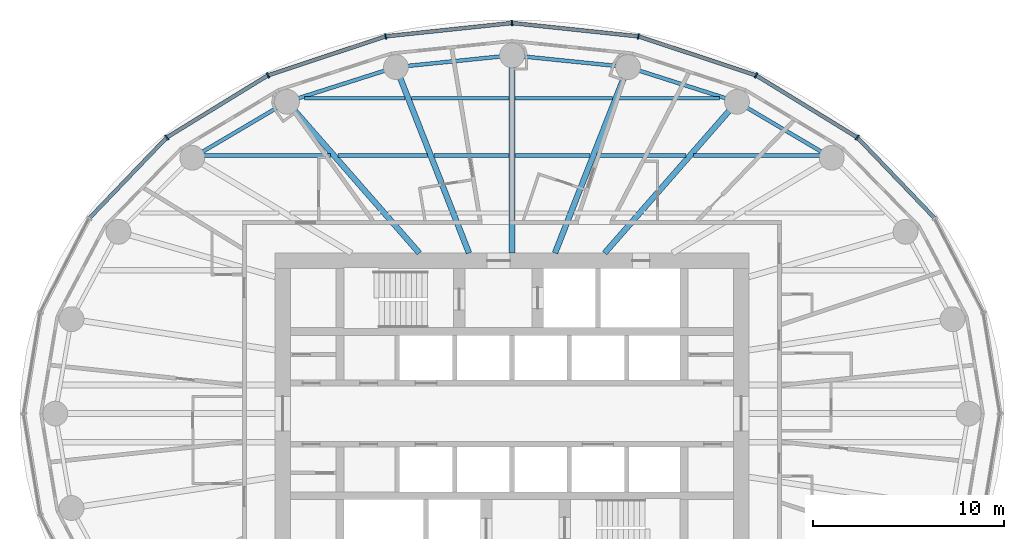
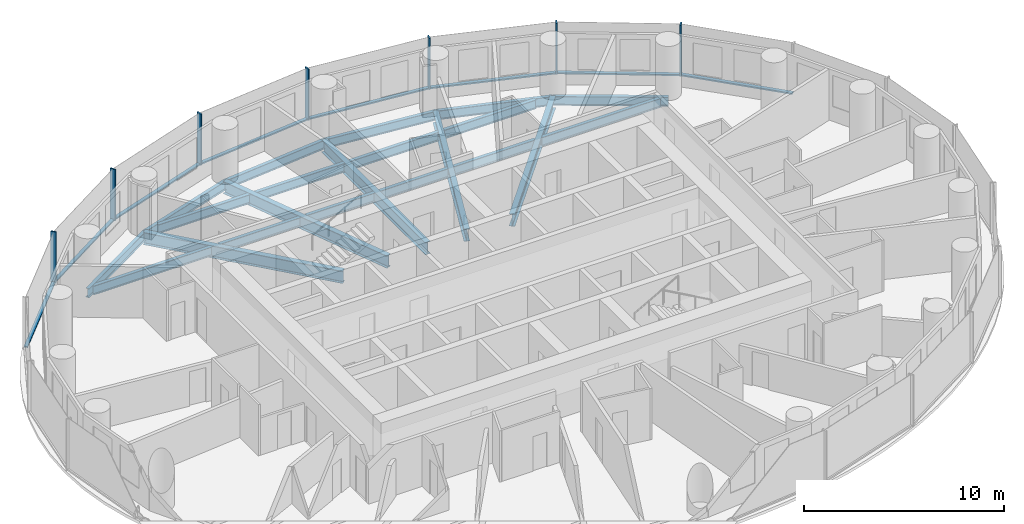
# One storey, part 4 of 13: 21 beams, 15 members, 2 elements without a shape of their own.
"""IFC4 building model written with IfcOpenShell, lengths in metres."""

from ifc_helpers import new_model, si_unit, direction, frame, origin, origin_2d, place, context, subcontext, project, spatial, rectangle, i_section, extrude, material, material_profile, profile_set, type_object, element, aggregate, save


model = new_model("IFC4")

# Units and contexts
model_context = context("Model", 3, precision=1e-05, world=origin(), true_north=direction((0.0, 1.0)))
body_context = subcontext(model_context, "Body", "Model", "MODEL_VIEW")
ifc_project = project(units=[si_unit("LENGTHUNIT", "METRE"), si_unit("AREAUNIT", "SQUARE_METRE"), si_unit("VOLUMEUNIT", "CUBIC_METRE"), si_unit("PLANEANGLEUNIT", "RADIAN"), si_unit("MASSUNIT", "GRAM", prefix="KILO")], contexts=[model_context])

# Site, building, storey
site_placement = place(None, origin())
site = spatial("IfcSite", under=ifc_project, at=site_placement, CompositionType="ELEMENT")
building_placement = place(site_placement, origin())
building = spatial("IfcBuilding", under=site, at=building_placement, Name="Hankou Lantern Tower", CompositionType="ELEMENT")
storey_placement = place(building_placement, frame((0.0, 0.0, 132.0)))
storey = spatial("IfcBuildingStorey", under=building, at=storey_placement, Name="L34", CompositionType="ELEMENT", Elevation=132.0)

# Beams
ifc_material_1 = material(Name="Steel Q355B", Category="steel")
ifc_material_profile_1 = material_profile(ifc_material_1, i_section(OverallWidth=0.199951171875, OverallDepth=0.550048828125, WebThickness=0.010009765625, FlangeThickness=0.01611328125, FilletRadius=0.012939453125, at=origin_2d()), Name="HN550x200x10x16")
ifc_profile_set_1 = profile_set([ifc_material_profile_1], Name="Steel Q355B")
beam_type_1 = type_object("IfcBeamType", Name="EB6 RING BEAM HN550x200x10x16", PredefinedType="SPANDREL", material=ifc_profile_set_1)
beam_1_placement = place(storey_placement, frame((16.73388671875, 13.38720703125, -0.455078125), z_axis=(-0.860988974188, 0.508623619513, 0.0), x_axis=(-0.508623619513, -0.860988974188, 0.0)))
element("IfcBeam", 1, at=beam_1_placement, inside=storey, type_object=beam_type_1, Name="Ring beam R04-R05 L34", PredefinedType="SPANDREL", context=body_context, shape_type="SweptSolid", body=[
    extrude(i_section(OverallWidth=0.199951171875, OverallDepth=0.550048828125, WebThickness=0.010009765625, FlangeThickness=0.01611328125, FilletRadius=0.012939453125, at=origin_2d()), origin(), (0.0, 0.0, 1.0), 5.759033203125),
])
beam_2_placement = place(storey_placement, frame((11.775390625, 16.31640625, -0.455078125), z_axis=(-0.952731090451, 0.303814860215, 0.0), x_axis=(-0.303814860215, -0.952731090451, 0.0)))
element("IfcBeam", 2, at=beam_2_placement, inside=storey, type_object=beam_type_1, Name="Ring beam R05-R06 L34", PredefinedType="SPANDREL", context=body_context, shape_type="SweptSolid", body=[
    extrude(i_section(OverallWidth=0.199951171875, OverallDepth=0.550048828125, WebThickness=0.010009765625, FlangeThickness=0.01611328125, FilletRadius=0.012939453125, at=origin_2d()), origin(), (0.0, 0.0, 1.0), 5.984375),
])
for number, where, z_axis, x_axis, name in (
    (3, (6.073974609375, 18.134521484375, -0.455078125), (-0.994905271594, 0.100814188259, 0.0), (-0.100814188259, -0.994905271594, 0.0), "Ring beam R06-R07 L34"),
    (4, (0.0, 18.75, -0.455078125), (-0.994905271594, -0.100814188259, 0.0), (0.100814188259, -0.994905271594, 0.0), "Ring beam R07-R08 L34"),
):
    element("IfcBeam", number, at=place(storey_placement, frame(where, z_axis=z_axis, x_axis=x_axis)), inside=storey, type_object=beam_type_1, Name=name, PredefinedType="SPANDREL", context=body_context, shape_type="SweptSolid", body=[
        extrude(i_section(OverallWidth=0.199951171875, OverallDepth=0.550048828125, WebThickness=0.010009765625, FlangeThickness=0.01611328125, FilletRadius=0.012939453125, at=origin_2d()), origin(), (0.0, 0.0, 1.0), 6.10498046875),
    ])
beam_3_placement = place(storey_placement, frame((-6.073974609375, 18.134521484375, -0.455078125), z_axis=(-0.952731090451, -0.303814860215, 0.0), x_axis=(0.303814860215, -0.952731090451, 0.0)))
element("IfcBeam", 5, at=beam_3_placement, inside=storey, type_object=beam_type_1, Name="Ring beam R08-R09 L34", PredefinedType="SPANDREL", context=body_context, shape_type="SweptSolid", body=[
    extrude(i_section(OverallWidth=0.199951171875, OverallDepth=0.550048828125, WebThickness=0.010009765625, FlangeThickness=0.01611328125, FilletRadius=0.012939453125, at=origin_2d()), origin(), (0.0, 0.0, 1.0), 5.984375),
])
beam_4_placement = place(storey_placement, frame((-11.775390625, 16.31640625, -0.455078125), z_axis=(-0.860988974188, -0.508623619513, 0.0), x_axis=(0.508623619513, -0.860988974188, 0.0)))
element("IfcBeam", 6, at=beam_4_placement, inside=storey, type_object=beam_type_1, Name="Ring beam R09-R10 L34", PredefinedType="SPANDREL", context=body_context, shape_type="SweptSolid", body=[
    extrude(i_section(OverallWidth=0.199951171875, OverallDepth=0.550048828125, WebThickness=0.010009765625, FlangeThickness=0.01611328125, FilletRadius=0.012939453125, at=origin_2d()), origin(), (0.0, 0.0, 1.0), 5.759033203125),
])

# Curtain wall, members
ifc_material_2 = material(Name="Glass, dark grey tinted laminated", Category="glass")
curtain_wall_type = type_object("IfcCurtainWallType", Name="CWB OUTER SKIN MID-RISE", PredefinedType="USERDEFINED", material=ifc_material_2)
curtain_wall_1_placement = place(storey_placement, origin())
curtain_wall_1 = element("IfcCurtainWall", 7, at=curtain_wall_1_placement, inside=storey, type_object=curtain_wall_type, Name="CWB L34 OS1", ObjectType="OUTER SKIN MID-RISE", PredefinedType="USERDEFINED")
ifc_material_3 = material(Name="Aluminium, black anodised", Category="aluminium")
ifc_material_profile_2 = material_profile(ifc_material_3, rectangle(XDim=0.080078125, YDim=0.300048828125, at=origin_2d()), Name="MU1 80X300")
ifc_profile_set_2 = profile_set([ifc_material_profile_2], Name="Aluminium, black anodised")
member_type_1 = type_object("IfcMemberType", Name="MU1 OUTER SKIN MULLION 80X300", PredefinedType="MULLION", material=ifc_profile_set_2)
member_1_placement = place(storey_placement, frame((18.066650390625, 14.453369140625, 0.0), z_axis=(0.0, 0.0, 1.0), x_axis=(-0.780868809444, 0.624695047553, 0.0)))
member_1 = element("IfcMember", 8, at=member_1_placement, type_object=member_type_1, Name="CWB mullion 4", PredefinedType="MULLION", context=body_context, shape_type="SweptSolid", body=[
    extrude(rectangle(XDim=0.080078125, YDim=0.300048828125, at=origin_2d()), origin(), (0.0, 0.0, 1.0), 3.1201171875),
])
member_2_placement = place(storey_placement, frame((12.77490234375, 17.70166015625, 0.0), z_axis=(0.0, 0.0, 1.0), x_axis=(-0.907841299004, 0.419313934686, 0.0)))
member_2 = element("IfcMember", 9, at=member_2_placement, type_object=member_type_1, Name="CWB mullion 5", PredefinedType="MULLION", context=body_context, shape_type="SweptSolid", body=[
    extrude(rectangle(XDim=0.080078125, YDim=0.300048828125, at=origin_2d()), origin(), (0.0, 0.0, 1.0), 3.1201171875),
])
member_3_placement = place(storey_placement, frame((6.61279296875, 19.743408203125, 0.0), z_axis=(0.0, 0.0, 1.0), x_axis=(-0.977787659625, 0.209597931016, 0.0)))
member_3 = element("IfcMember", 10, at=member_3_placement, type_object=member_type_1, Name="CWB mullion 6", PredefinedType="MULLION", context=body_context, shape_type="SweptSolid", body=[
    extrude(rectangle(XDim=0.080078125, YDim=0.300048828125, at=origin_2d()), origin(), (0.0, 0.0, 1.0), 3.1201171875),
])

curtain_wall_2_placement = place(storey_placement, origin())
curtain_wall_2 = element("IfcCurtainWall", 11, at=curtain_wall_2_placement, inside=storey, type_object=curtain_wall_type, Name="CWB L34 OS2", ObjectType="OUTER SKIN MID-RISE", PredefinedType="USERDEFINED")
member_4_placement = place(storey_placement, frame((0.0, 20.43994140625, 0.0), z_axis=(0.0, 0.0, 1.0), x_axis=(-0.994499359107, -0.104742659579, 0.0)))
member_4 = element("IfcMember", 12, at=member_4_placement, type_object=member_type_1, Name="CWB mullion 1", PredefinedType="MULLION", context=body_context, shape_type="SweptSolid", body=[
    extrude(rectangle(XDim=0.080078125, YDim=0.300048828125, at=origin_2d()), origin(), (0.0, 0.0, 1.0), 3.1201171875),
])
member_5_placement = place(storey_placement, frame((-6.61279296875, 19.743408203125, 0.0), z_axis=(0.0, 0.0, 1.0), x_axis=(-0.977787659625, -0.209597931016, 0.0)))
member_5 = element("IfcMember", 13, at=member_5_placement, type_object=member_type_1, Name="CWB mullion 2", PredefinedType="MULLION", context=body_context, shape_type="SweptSolid", body=[
    extrude(rectangle(XDim=0.080078125, YDim=0.300048828125, at=origin_2d()), origin(), (0.0, 0.0, 1.0), 3.1201171875),
])
member_6_placement = place(storey_placement, frame((-12.77490234375, 17.70166015625, 0.0), z_axis=(0.0, 0.0, 1.0), x_axis=(-0.907841299004, -0.419313934686, 0.0)))
member_6 = element("IfcMember", 14, at=member_6_placement, type_object=member_type_1, Name="CWB mullion 3", PredefinedType="MULLION", context=body_context, shape_type="SweptSolid", body=[
    extrude(rectangle(XDim=0.080078125, YDim=0.300048828125, at=origin_2d()), origin(), (0.0, 0.0, 1.0), 3.1201171875),
])
member_7_placement = place(storey_placement, frame((-18.066650390625, 14.453369140625, 0.0), z_axis=(0.0, 0.0, 1.0), x_axis=(-0.780868809444, -0.624695047553, 0.0)))
member_7 = element("IfcMember", 15, at=member_7_placement, type_object=member_type_1, Name="CWB mullion 4", PredefinedType="MULLION", context=body_context, shape_type="SweptSolid", body=[
    extrude(rectangle(XDim=0.080078125, YDim=0.300048828125, at=origin_2d()), origin(), (0.0, 0.0, 1.0), 3.1201171875),
])

# Beams
ifc_material_4 = material(Name="Steel Q355B", Category="steel")
ifc_material_profile_3 = material_profile(ifc_material_4, i_section(OverallWidth=0.300048828125, OverallDepth=0.75, WebThickness=0.012939453125, FlangeThickness=0.02392578125, FilletRadius=0.01806640625, at=origin_2d()), Name="HN750x300x13x24")
ifc_profile_set_3 = profile_set([ifc_material_profile_3], Name="Steel Q355B")
beam_type_2 = type_object("IfcBeamType", Name="RB10 RADIAL BEAM HN750x300x13x24", PredefinedType="BEAM", material=ifc_profile_set_3)
beam_5_placement = place(storey_placement, frame((4.849853515625, 8.39990234375, -0.554931640625), z_axis=(0.658429014446, 0.752642832249, 0.0), x_axis=(-0.752642832249, 0.658429014446, 0.0)))
element("IfcBeam", 16, at=beam_5_placement, inside=storey, type_object=beam_type_2, Name="Radial beam R05 L34", PredefinedType="BEAM", context=body_context, shape_type="SweptSolid", body=[
    extrude(i_section(OverallWidth=0.300048828125, OverallDepth=0.75, WebThickness=0.012939453125, FlangeThickness=0.02392578125, FilletRadius=0.01806640625, at=origin_2d()), origin(), (0.0, 0.0, 1.0), 10.518310546875),
])
beam_6_placement = place(storey_placement, frame((2.250732421875, 8.39990234375, -0.554931640625), z_axis=(0.365563535437, 0.930786388791, 0.0), x_axis=(-0.930786388791, 0.365563535437, 0.0)))
element("IfcBeam", 17, at=beam_6_placement, inside=storey, type_object=beam_type_2, Name="Radial beam R06 L34", PredefinedType="BEAM", context=body_context, shape_type="SweptSolid", body=[
    extrude(i_section(OverallWidth=0.300048828125, OverallDepth=0.75, WebThickness=0.012939453125, FlangeThickness=0.02392578125, FilletRadius=0.01806640625, at=origin_2d()), origin(), (0.0, 0.0, 1.0), 10.45849609375),
])
beam_7_placement = place(storey_placement, frame((0.0, 8.39990234375, -0.554931640625), z_axis=(0.0, 1.0, 0.0), x_axis=(-1.0, 0.0, 0.0)))
element("IfcBeam", 18, at=beam_7_placement, inside=storey, type_object=beam_type_2, Name="Radial beam R07 L34", PredefinedType="BEAM", context=body_context, shape_type="SweptSolid", body=[
    extrude(i_section(OverallWidth=0.300048828125, OverallDepth=0.75, WebThickness=0.012939453125, FlangeThickness=0.02392578125, FilletRadius=0.01806640625, at=origin_2d()), origin(), (0.0, 0.0, 1.0), 10.35009765625),
])
beam_8_placement = place(storey_placement, frame((-2.250732421875, 8.39990234375, -0.554931640625), z_axis=(-0.365563535437, 0.930786388791, 0.0), x_axis=(-0.930786388791, -0.365563535437, 0.0)))
element("IfcBeam", 19, at=beam_8_placement, inside=storey, type_object=beam_type_2, Name="Radial beam R08 L34", PredefinedType="BEAM", context=body_context, shape_type="SweptSolid", body=[
    extrude(i_section(OverallWidth=0.300048828125, OverallDepth=0.75, WebThickness=0.012939453125, FlangeThickness=0.02392578125, FilletRadius=0.01806640625, at=origin_2d()), origin(), (0.0, 0.0, 1.0), 10.45849609375),
])
beam_9_placement = place(storey_placement, frame((-4.849853515625, 8.39990234375, -0.554931640625), z_axis=(-0.658429014446, 0.752642832249, 0.0), x_axis=(-0.752642832249, -0.658429014446, 0.0)))
element("IfcBeam", 20, at=beam_9_placement, inside=storey, type_object=beam_type_2, Name="Radial beam R09 L34", PredefinedType="BEAM", context=body_context, shape_type="SweptSolid", body=[
    extrude(i_section(OverallWidth=0.300048828125, OverallDepth=0.75, WebThickness=0.012939453125, FlangeThickness=0.02392578125, FilletRadius=0.01806640625, at=origin_2d()), origin(), (0.0, 0.0, 1.0), 10.518310546875),
])
ifc_material_5 = material(Name="Steel Q355B", Category="steel")
ifc_material_profile_4 = material_profile(ifc_material_5, i_section(OverallWidth=0.199951171875, OverallDepth=0.550048828125, WebThickness=0.010009765625, FlangeThickness=0.01611328125, FilletRadius=0.012939453125, at=origin_2d()), Name="HN550x200x10x16")
ifc_profile_set_4 = profile_set([ifc_material_profile_4], Name="Steel Q355B")
beam_type_3 = type_object("IfcBeamType", Name="SB6 SECONDARY BEAM HN550x200x10x16", PredefinedType="JOIST", material=ifc_profile_set_4)
beam_10_placement = place(storey_placement, frame((-16.34619140625, 13.5, -0.455078125), z_axis=(1.0, 0.0, 0.0), x_axis=(0.0, 1.0, 0.0)))
element("IfcBeam", 21, at=beam_10_placement, inside=storey, type_object=beam_type_3, Name="Floor joist J043 L34", PredefinedType="JOIST", context=body_context, shape_type="SweptSolid", body=[
    extrude(i_section(OverallWidth=0.199951171875, OverallDepth=0.550048828125, WebThickness=0.010009765625, FlangeThickness=0.01611328125, FilletRadius=0.012939453125, at=origin_2d()), origin(), (0.0, 0.0, 1.0), 6.83544921875),
])
beam_11_placement = place(storey_placement, frame((-9.112060546875, 13.5, -0.455078125), z_axis=(1.0, 0.0, 0.0), x_axis=(0.0, 1.0, 0.0)))
element("IfcBeam", 22, at=beam_11_placement, inside=storey, type_object=beam_type_3, Name="Floor joist J044 L34", PredefinedType="JOIST", context=body_context, shape_type="SweptSolid", body=[
    extrude(i_section(OverallWidth=0.199951171875, OverallDepth=0.550048828125, WebThickness=0.010009765625, FlangeThickness=0.01611328125, FilletRadius=0.012939453125, at=origin_2d()), origin(), (0.0, 0.0, 1.0), 4.697021484375),
])
for number, where, z_axis, x_axis, name in (
    (23, (-4.092529296875, 13.5, -0.455078125), (1.0, 0.0, 0.0), (0.0, 1.0, 0.0), "Floor joist J045 L34"),
    (24, (0.14990234375, 13.5, -0.455078125), (1.0, 0.0, 0.0), (0.0, 1.0, 0.0), "Floor joist J046 L34"),
):
    element("IfcBeam", number, at=place(storey_placement, frame(where, z_axis=z_axis, x_axis=x_axis)), inside=storey, type_object=beam_type_3, Name=name, PredefinedType="JOIST", context=body_context, shape_type="SweptSolid", body=[
        extrude(i_section(OverallWidth=0.199951171875, OverallDepth=0.550048828125, WebThickness=0.010009765625, FlangeThickness=0.01611328125, FilletRadius=0.012939453125, at=origin_2d()), origin(), (0.0, 0.0, 1.0), 3.942626953125),
    ])
beam_12_placement = place(storey_placement, frame((4.4150390625, 13.5, -0.455078125), z_axis=(1.0, 0.0, 0.0), x_axis=(0.0, 1.0, 0.0)))
element("IfcBeam", 25, at=beam_12_placement, inside=storey, type_object=beam_type_3, Name="Floor joist J047 L34", PredefinedType="JOIST", context=body_context, shape_type="SweptSolid", body=[
    extrude(i_section(OverallWidth=0.199951171875, OverallDepth=0.550048828125, WebThickness=0.010009765625, FlangeThickness=0.01611328125, FilletRadius=0.012939453125, at=origin_2d()), origin(), (0.0, 0.0, 1.0), 4.697021484375),
])
beam_13_placement = place(storey_placement, frame((9.5107421875, 13.5, -0.455078125), z_axis=(1.0, 0.0, 0.0), x_axis=(0.0, 1.0, 0.0)))
element("IfcBeam", 26, at=beam_13_placement, inside=storey, type_object=beam_type_3, Name="Floor joist J048 L34", PredefinedType="JOIST", context=body_context, shape_type="SweptSolid", body=[
    extrude(i_section(OverallWidth=0.199951171875, OverallDepth=0.550048828125, WebThickness=0.010009765625, FlangeThickness=0.01611328125, FilletRadius=0.012939453125, at=origin_2d()), origin(), (0.0, 0.0, 1.0), 6.83544921875),
])
beam_14_placement = place(storey_placement, frame((-10.8701171875, 16.5, -0.455078125), z_axis=(1.0, 0.0, 0.0), x_axis=(0.0, 1.0, 0.0)))
element("IfcBeam", 27, at=beam_14_placement, inside=storey, type_object=beam_type_3, Name="Floor joist J049 L34", PredefinedType="JOIST", context=body_context, shape_type="SweptSolid", body=[
    extrude(i_section(OverallWidth=0.199951171875, OverallDepth=0.550048828125, WebThickness=0.010009765625, FlangeThickness=0.01611328125, FilletRadius=0.012939453125, at=origin_2d()), origin(), (0.0, 0.0, 1.0), 5.27685546875),
])
for number, where, z_axis, x_axis, name in (
    (28, (-5.270751953125, 16.5, -0.455078125), (1.0, 0.0, 0.0), (0.0, 1.0, 0.0), "Floor joist J050 L34"),
    (29, (0.14990234375, 16.5, -0.455078125), (1.0, 0.0, 0.0), (0.0, 1.0, 0.0), "Floor joist J051 L34"),
):
    element("IfcBeam", number, at=place(storey_placement, frame(where, z_axis=z_axis, x_axis=x_axis)), inside=storey, type_object=beam_type_3, Name=name, PredefinedType="JOIST", context=body_context, shape_type="SweptSolid", body=[
        extrude(i_section(OverallWidth=0.199951171875, OverallDepth=0.550048828125, WebThickness=0.010009765625, FlangeThickness=0.01611328125, FilletRadius=0.012939453125, at=origin_2d()), origin(), (0.0, 0.0, 1.0), 5.120849609375),
    ])
beam_15_placement = place(storey_placement, frame((5.59326171875, 16.5, -0.455078125), z_axis=(1.0, 0.0, 0.0), x_axis=(0.0, 1.0, 0.0)))
element("IfcBeam", 30, at=beam_15_placement, inside=storey, type_object=beam_type_3, Name="Floor joist J052 L34", PredefinedType="JOIST", context=body_context, shape_type="SweptSolid", body=[
    extrude(i_section(OverallWidth=0.199951171875, OverallDepth=0.550048828125, WebThickness=0.010009765625, FlangeThickness=0.01611328125, FilletRadius=0.012939453125, at=origin_2d()), origin(), (0.0, 0.0, 1.0), 5.27685546875),
])

# Member
ifc_material_6 = material(Name="Aluminium, black anodised", Category="aluminium")
ifc_material_profile_5 = material_profile(ifc_material_6, rectangle(XDim=0.199951171875, YDim=0.080078125, at=origin_2d()), Name="TR1 200X80")
ifc_profile_set_5 = profile_set([ifc_material_profile_5], Name="Aluminium, black anodised")
member_type_2 = type_object("IfcMemberType", Name="TR1 OUTER SKIN TRANSOM 200X80", PredefinedType="USERDEFINED", material=ifc_profile_set_5)
member_8_placement = place(storey_placement, frame((22.099365234375, 10.248779296875, 0.0400390625), z_axis=(-0.692226977748, 0.721679853729, 0.0), x_axis=(-0.721679853729, -0.692226977748, 0.0)))
member_8 = element("IfcMember", 31, at=member_8_placement, type_object=member_type_2, Name="CWB transom 3", ObjectType="TRANSOM", PredefinedType="USERDEFINED", context=body_context, shape_type="SweptSolid", body=[
    extrude(rectangle(XDim=0.199951171875, YDim=0.080078125, at=origin_2d()), origin(), (0.0, 0.0, 1.0), 5.785888671875),
])

member_9_placement = place(storey_placement, frame((18.032470703125, 14.47412109375, 0.0400390625), z_axis=(-0.852229492169, 0.523168130411, 0.0), x_axis=(-0.523168130411, -0.852229492169, 0.0)))
member_9 = element("IfcMember", 32, at=member_9_placement, type_object=member_type_2, Name="CWB transom 4", ObjectType="TRANSOM", PredefinedType="USERDEFINED", context=body_context, shape_type="SweptSolid", body=[
    extrude(rectangle(XDim=0.199951171875, YDim=0.080078125, at=origin_2d()), origin(), (0.0, 0.0, 1.0), 6.129150390625),
])

member_10_placement = place(storey_placement, frame((12.737060546875, 17.714111328125, 0.0400390625), z_axis=(-0.949237765745, 0.314559476225, 0.0), x_axis=(-0.314559476225, -0.949237765745, 0.0)))
member_10 = element("IfcMember", 33, at=member_10_placement, type_object=member_type_2, Name="CWB transom 5", ObjectType="TRANSOM", PredefinedType="USERDEFINED", context=body_context, shape_type="SweptSolid", body=[
    extrude(rectangle(XDim=0.199951171875, YDim=0.080078125, at=origin_2d()), origin(), (0.0, 0.0, 1.0), 6.41162109375),
])

member_11_placement = place(storey_placement, frame((6.572998046875, 19.747802734375, 0.0400390625), z_axis=(-0.994500972001, 0.10472734451, 0.0), x_axis=(-0.10472734451, -0.994500972001, 0.0)))
member_11 = element("IfcMember", 34, at=member_11_placement, type_object=member_type_2, Name="CWB transom 6", ObjectType="TRANSOM", PredefinedType="USERDEFINED", context=body_context, shape_type="SweptSolid", body=[
    extrude(rectangle(XDim=0.199951171875, YDim=0.080078125, at=origin_2d()), origin(), (0.0, 0.0, 1.0), 6.5693359375),
])

aggregate(curtain_wall_1, [member_1, member_2, member_3, member_8, member_9, member_10, member_11])

member_12_placement = place(storey_placement, frame((-0.039794921875, 20.435791015625, 0.0400390625), z_axis=(-0.994500972001, -0.10472734451, 0.0), x_axis=(0.10472734451, -0.994500972001, 0.0)))
member_12 = element("IfcMember", 35, at=member_12_placement, type_object=member_type_2, Name="CWB transom 1", ObjectType="TRANSOM", PredefinedType="USERDEFINED", context=body_context, shape_type="SweptSolid", body=[
    extrude(rectangle(XDim=0.199951171875, YDim=0.080078125, at=origin_2d()), origin(), (0.0, 0.0, 1.0), 6.5693359375),
])

member_13_placement = place(storey_placement, frame((-6.65087890625, 19.73095703125, 0.0400390625), z_axis=(-0.949237765745, -0.314559476225, 0.0), x_axis=(0.314559476225, -0.949237765745, 0.0)))
member_13 = element("IfcMember", 36, at=member_13_placement, type_object=member_type_2, Name="CWB transom 2", ObjectType="TRANSOM", PredefinedType="USERDEFINED", context=body_context, shape_type="SweptSolid", body=[
    extrude(rectangle(XDim=0.199951171875, YDim=0.080078125, at=origin_2d()), origin(), (0.0, 0.0, 1.0), 6.41162109375),
])

member_14_placement = place(storey_placement, frame((-12.80908203125, 17.6806640625, 0.0400390625), z_axis=(-0.852229492169, -0.523168130411, 0.0), x_axis=(0.523168130411, -0.852229492169, 0.0)))
member_14 = element("IfcMember", 37, at=member_14_placement, type_object=member_type_2, Name="CWB transom 3", ObjectType="TRANSOM", PredefinedType="USERDEFINED", context=body_context, shape_type="SweptSolid", body=[
    extrude(rectangle(XDim=0.199951171875, YDim=0.080078125, at=origin_2d()), origin(), (0.0, 0.0, 1.0), 6.129150390625),
])

member_15_placement = place(storey_placement, frame((-18.09423828125, 14.42431640625, 0.0400390625), z_axis=(-0.692226977748, -0.721679853729, 0.0), x_axis=(0.721679853729, -0.692226977748, 0.0)))
member_15 = element("IfcMember", 38, at=member_15_placement, type_object=member_type_2, Name="CWB transom 4", ObjectType="TRANSOM", PredefinedType="USERDEFINED", context=body_context, shape_type="SweptSolid", body=[
    extrude(rectangle(XDim=0.199951171875, YDim=0.080078125, at=origin_2d()), origin(), (0.0, 0.0, 1.0), 5.785888671875),
])

aggregate(curtain_wall_2, [member_4, member_5, member_6, member_7, member_12, member_13, member_14, member_15])

save(model, "model.ifc")
